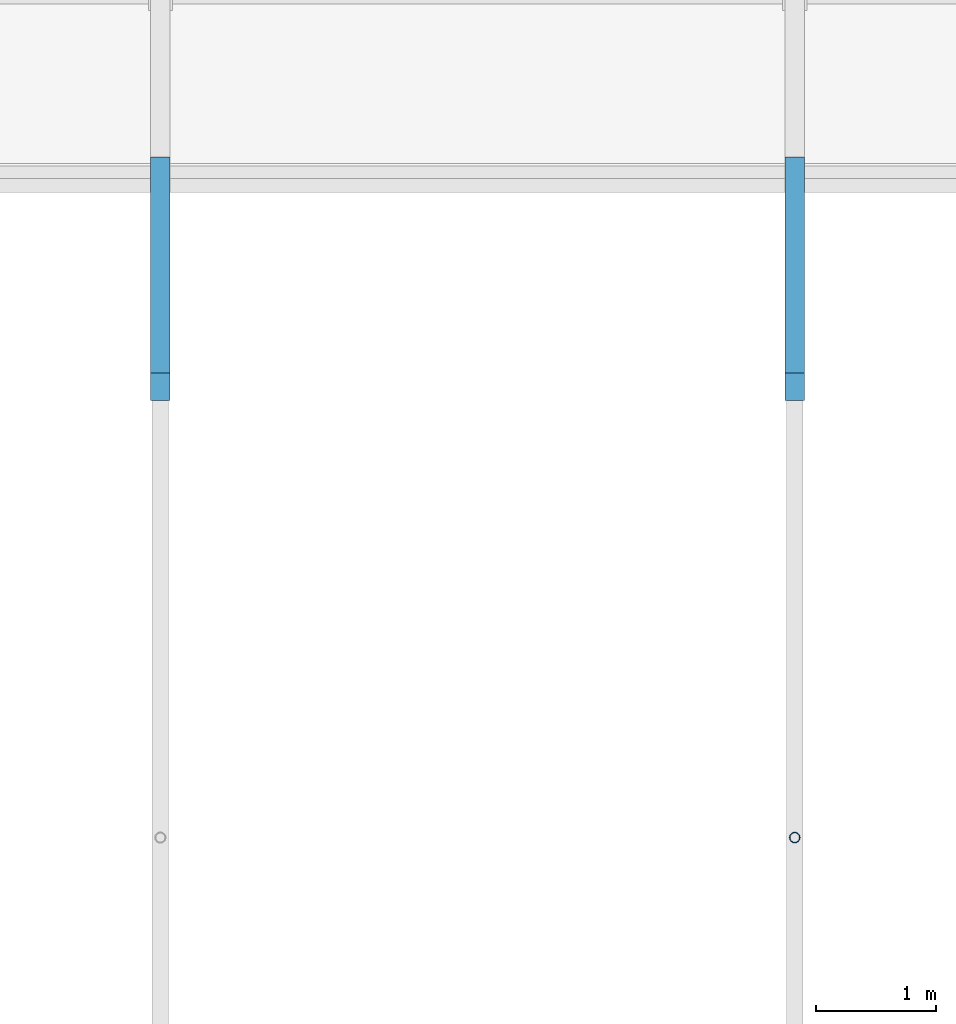
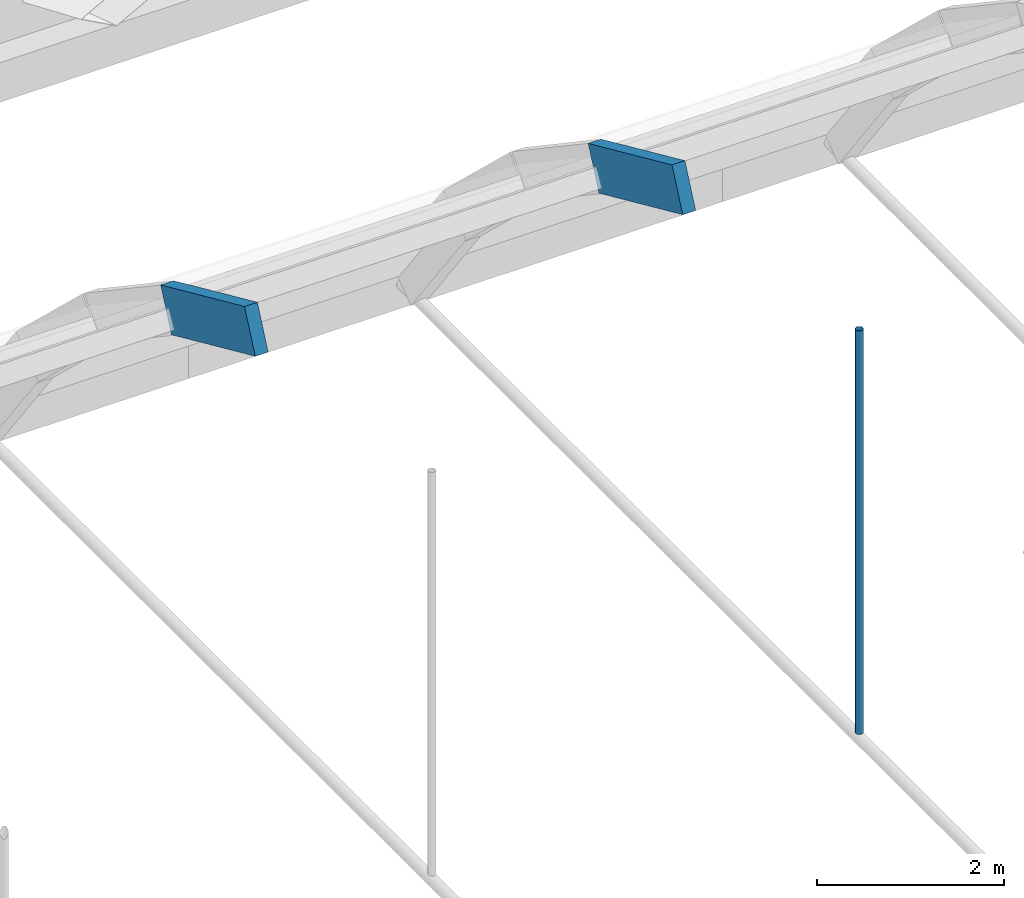
# One storey, part 26 of 102: 3 members.
"""IFC4 building model written with IfcOpenShell, lengths in metres."""

from ifc_helpers import new_model, si_unit, direction, frame, origin, origin_2d, place, context, subcontext, project, spatial, rectangle, hollow_circle, extrude, material, material_profile, profile_set, type_object, element, save


model = new_model("IFC4")

# Units and contexts
model_context = context("Model", 3, precision=1e-05, world=origin(), true_north=direction((0.0, 1.0)))
body_context = subcontext(model_context, "Body", "Model", "MODEL_VIEW")
ifc_project = project(units=[si_unit("LENGTHUNIT", "METRE"), si_unit("AREAUNIT", "SQUARE_METRE"), si_unit("VOLUMEUNIT", "CUBIC_METRE"), si_unit("PLANEANGLEUNIT", "RADIAN"), si_unit("MASSUNIT", "GRAM", prefix="KILO")], contexts=[model_context])

# Site, building, storey
site_placement = place(None, origin())
site = spatial("IfcSite", under=ifc_project, at=site_placement, CompositionType="ELEMENT")
building_placement = place(site_placement, origin())
building = spatial("IfcBuilding", under=site, at=building_placement, Name="Lantern Court Research Institute", CompositionType="ELEMENT")
storey_placement = place(building_placement, frame((0.0, 0.0, 9.89990234375)))
storey = spatial("IfcBuildingStorey", under=building, at=storey_placement, Name="L02", CompositionType="ELEMENT", Elevation=9.89990234375)

# Members
ifc_material_1 = material(Name="Glued laminated timber GL28h", Category="wood")
ifc_material_profile_1 = material_profile(ifc_material_1, rectangle(XDim=0.159912109375, YDim=0.56005859375, at=origin_2d()), Name="Glulam haunch rib 160 x 560")
ifc_profile_set_1 = profile_set([ifc_material_profile_1], Name="Glued laminated timber GL28h")
member_type_1 = type_object("IfcMemberType", Name="Glulam haunch rib 160 x 560", PredefinedType="RAFTER", material=ifc_profile_set_1)
for number, where, z_axis, x_axis, name in (
    (1, (63.360107421875, 69.75244140625, 5.224853515625), (0.0, 0.91202821745, -0.410127456501), (-1.0, 0.0, 0.0), "Glulam rib"),
    (2, (68.639892578125, 69.75244140625, 5.224853515625), (0.0, 0.91202821745, -0.410127456501), (-1.0, 0.0, 0.0), "Glulam rib"),
):
    element("IfcMember", number, at=place(storey_placement, frame(where, z_axis=z_axis, x_axis=x_axis)), inside=storey, type_object=member_type_1, Name=name, PredefinedType="RAFTER", context=body_context, shape_type="SweptSolid", body=[
        extrude(rectangle(XDim=0.159912109375, YDim=0.56005859375, at=origin_2d()), origin(), (0.0, 0.0, 1.0), 1.968505859375),
    ])
ifc_material_2 = material(Name="Structural steel S355", Category="steel")
ifc_material_profile_2 = material_profile(ifc_material_2, hollow_circle(Radius=0.04443359375, WallThickness=0.0048828125, at=origin_2d()), Name="Gridshell hanger CHS 88.9 x 5")
ifc_profile_set_2 = profile_set([ifc_material_profile_2], Name="Structural steel S355")
member_type_2 = type_object("IfcMemberType", Name="Gridshell hanger CHS 88.9 x 5", PredefinedType="STRUT", material=ifc_profile_set_2)
member_placement = place(storey_placement, frame((68.639892578125, 66.0, 0.389892578125), z_axis=(0.0, 0.0, 1.0), x_axis=(1.0, 0.0, 0.0)))
element("IfcMember", 3, at=member_placement, inside=storey, type_object=member_type_2, Name="Theatre hanger", PredefinedType="STRUT", context=body_context, shape_type="SweptSolid", body=[
    extrude(hollow_circle(Radius=0.04443359375, WallThickness=0.0048828125, at=origin_2d()), origin(), (0.0, 0.0, 1.0), 5.270263671875),
])

save(model, "model.ifc")
